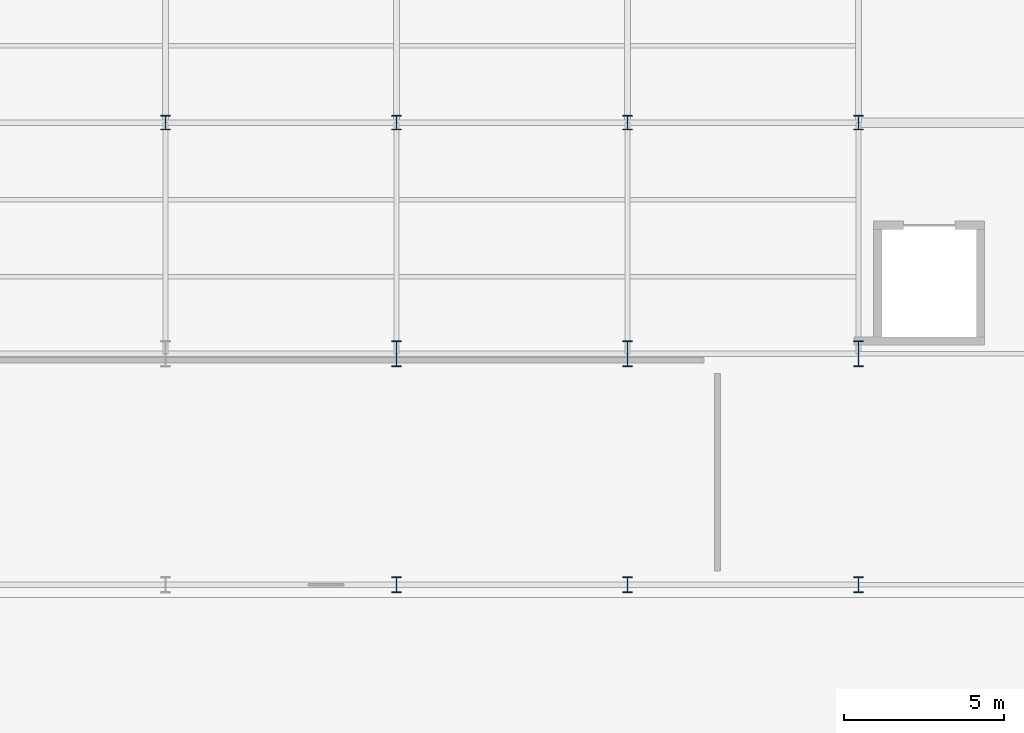
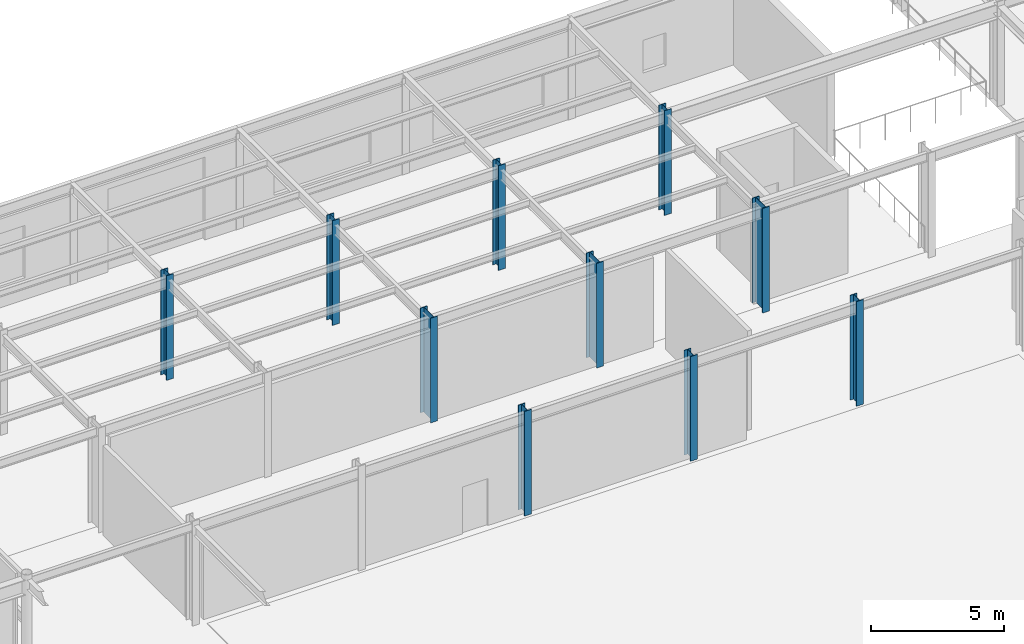
# One storey, part 7 of 83: 10 columns.
"""IFC4 building model written with IfcOpenShell, lengths in metres."""

from ifc_helpers import new_model, si_unit, direction, frame, origin, origin_2d, place, context, subcontext, project, spatial, i_section, extrude, material, material_profile, profile_set, type_object, element, save


model = new_model("IFC4")

# Units and contexts
model_context = context("Model", 3, precision=1e-05, world=origin(), true_north=direction((0.0, 1.0)))
body_context = subcontext(model_context, "Body", "Model", "MODEL_VIEW")
ifc_project = project(units=[si_unit("LENGTHUNIT", "METRE"), si_unit("AREAUNIT", "SQUARE_METRE"), si_unit("VOLUMEUNIT", "CUBIC_METRE"), si_unit("PLANEANGLEUNIT", "RADIAN"), si_unit("MASSUNIT", "GRAM", prefix="KILO")], contexts=[model_context])

# Site, building, storey
site_placement = place(None, origin())
site = spatial("IfcSite", under=ifc_project, at=site_placement, CompositionType="ELEMENT")
building_placement = place(site_placement, origin())
building = spatial("IfcBuilding", under=site, at=building_placement, Name="Solvadek Multi-Sports Hall", CompositionType="ELEMENT")
storey_placement = place(building_placement, origin())
storey = spatial("IfcBuildingStorey", under=building, at=storey_placement, Name="L00", CompositionType="ELEMENT", Elevation=0.0)

# Columns
ifc_material = material(Name="Steel E350 (350 MPa)", Category="steel")
ifc_material_profile_1 = material_profile(ifc_material, i_section(OverallWidth=0.300048828125, OverallDepth=0.449951171875, WebThickness=0.013916015625, FlangeThickness=0.02587890625, at=origin_2d()), Name="WPB 450")
ifc_profile_set_1 = profile_set([ifc_material_profile_1], Name="Steel E350 (350 MPa)")
column_type_1 = type_object("IfcColumnType", Name="STR-COL-WPB450", PredefinedType="COLUMN", material=ifc_profile_set_1)
for number, where, z_axis, x_axis, name in (
    (1, (100.800048828125, 49.199951171875, 0.0), (0.0, 0.0, 1.0), (1.0, 0.0, 0.0), "L00 Column C-06 #204"),
    (2, (108.0, 49.199951171875, 0.0), (0.0, 0.0, 1.0), (1.0, 0.0, 0.0), "L00 Column C-06 #212"),
    (3, (115.199951171875, 49.199951171875, 0.0), (0.0, 0.0, 1.0), (1.0, 0.0, 0.0), "L00 Column C-06 #220"),
    (4, (122.39990234375, 49.199951171875, 0.0), (0.0, 0.0, 1.0), (1.0, 0.0, 0.0), "L00 Column C-06 #228"),
):
    element("IfcColumn", number, at=place(storey_placement, frame(where, z_axis=z_axis, x_axis=x_axis)), inside=storey, type_object=column_type_1, Name=name, PredefinedType="COLUMN", context=body_context, shape_type="SweptSolid", body=[
        extrude(i_section(OverallWidth=0.300048828125, OverallDepth=0.449951171875, WebThickness=0.013916015625, FlangeThickness=0.02587890625, at=origin_2d()), origin(), (0.0, 0.0, 1.0), 4.800048828125),
    ])
ifc_material_profile_2 = material_profile(ifc_material, i_section(OverallWidth=0.300048828125, OverallDepth=0.5, WebThickness=0.014404296875, FlangeThickness=0.028076171875, at=origin_2d()), Name="WPB 500")
ifc_profile_set_2 = profile_set([ifc_material_profile_2], Name="Steel E350 (350 MPa)")
column_type_2 = type_object("IfcColumnType", Name="STR-COL-WPB500", PredefinedType="COLUMN", material=ifc_profile_set_2)
for number, where, z_axis, x_axis, name in (
    (5, (108.0, 34.800048828125, 0.0), (0.0, 0.0, 1.0), (1.0, 0.0, 0.0), "L00 Column C-05 #210"),
    (6, (115.199951171875, 34.800048828125, 0.0), (0.0, 0.0, 1.0), (1.0, 0.0, 0.0), "L00 Column C-05 #218"),
    (7, (122.39990234375, 34.800048828125, 0.0), (0.0, 0.0, 1.0), (1.0, 0.0, 0.0), "L00 Column C-05 #226"),
):
    element("IfcColumn", number, at=place(storey_placement, frame(where, z_axis=z_axis, x_axis=x_axis)), inside=storey, type_object=column_type_2, Name=name, PredefinedType="COLUMN", context=body_context, shape_type="SweptSolid", body=[
        extrude(i_section(OverallWidth=0.300048828125, OverallDepth=0.5, WebThickness=0.014404296875, FlangeThickness=0.028076171875, at=origin_2d()), origin(), (0.0, 0.0, 1.0), 4.800048828125),
    ])
ifc_material_profile_3 = material_profile(ifc_material, i_section(OverallWidth=0.300048828125, OverallDepth=0.800048828125, WebThickness=0.017578125, FlangeThickness=0.032958984375, at=origin_2d()), Name="WPB 800")
ifc_profile_set_3 = profile_set([ifc_material_profile_3], Name="Steel E350 (350 MPa)")
column_type_3 = type_object("IfcColumnType", Name="STR-COL-WPB800", PredefinedType="COLUMN", material=ifc_profile_set_3)
for number, where, z_axis, x_axis, name in (
    (8, (108.0, 42.0, 0.0), (0.0, 0.0, 1.0), (1.0, 0.0, 0.0), "L00 Column C-01 #211"),
    (9, (115.199951171875, 42.0, 0.0), (0.0, 0.0, 1.0), (1.0, 0.0, 0.0), "L00 Column C-01 #219"),
    (10, (122.39990234375, 42.0, 0.0), (0.0, 0.0, 1.0), (1.0, 0.0, 0.0), "L00 Column C-01 #227"),
):
    element("IfcColumn", number, at=place(storey_placement, frame(where, z_axis=z_axis, x_axis=x_axis)), inside=storey, type_object=column_type_3, Name=name, PredefinedType="COLUMN", context=body_context, shape_type="SweptSolid", body=[
        extrude(i_section(OverallWidth=0.300048828125, OverallDepth=0.800048828125, WebThickness=0.017578125, FlangeThickness=0.032958984375, at=origin_2d()), origin(), (0.0, 0.0, 1.0), 4.800048828125),
    ])

save(model, "model.ifc")
